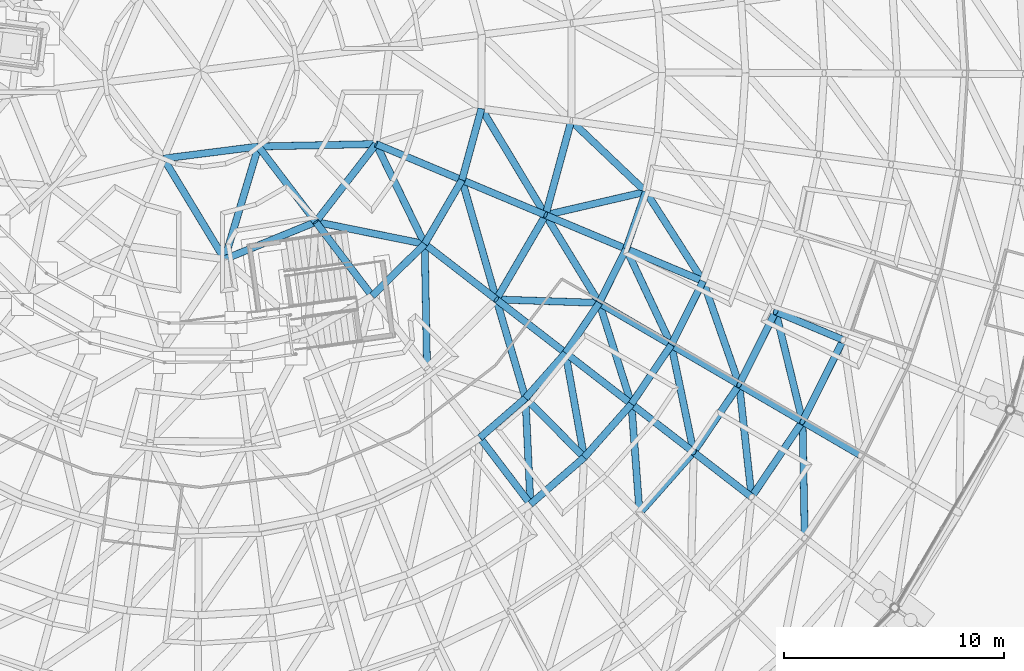
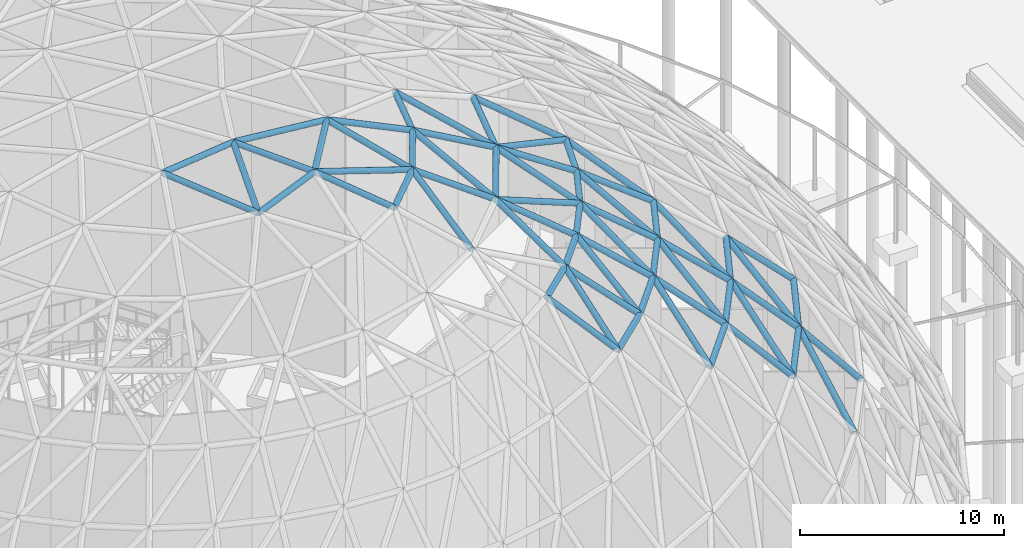
# One storey, part 103 of 226: 64 members.
"""IFC4 building model written with IfcOpenShell, lengths in metres."""

from ifc_helpers import new_model, si_unit, direction, frame, origin, origin_2d, place, context, subcontext, project, spatial, hollow_circle, extrude, material, material_profile, profile_set, type_object, element, save


model = new_model("IFC4")

# Units and contexts
model_context = context("Model", 3, precision=1e-05, world=origin(), true_north=direction((0.0, 1.0)))
body_context = subcontext(model_context, "Body", "Model", "MODEL_VIEW")
ifc_project = project(units=[si_unit("LENGTHUNIT", "METRE"), si_unit("AREAUNIT", "SQUARE_METRE"), si_unit("VOLUMEUNIT", "CUBIC_METRE"), si_unit("PLANEANGLEUNIT", "RADIAN"), si_unit("MASSUNIT", "GRAM", prefix="KILO")], contexts=[model_context])

# Site, building, storey
site_placement = place(None, origin())
site = spatial("IfcSite", under=ifc_project, at=site_placement, CompositionType="ELEMENT")
building_placement = place(site_placement, origin())
building = spatial("IfcBuilding", under=site, at=building_placement, Name="Ceibo Conservatory and Research Tower", CompositionType="ELEMENT")
storey_placement = place(building_placement, origin())
storey = spatial("IfcBuildingStorey", under=building, at=storey_placement, Name="L00", CompositionType="ELEMENT", Elevation=0.0)

# Members
ifc_material = material(Name="Steel ASTM A500 Gr C", Category="steel")
ifc_material_profile_1 = material_profile(ifc_material, hollow_circle(Radius=0.161865234375, WallThickness=0.01025390625, at=origin_2d()), Name="CHS 323.9x10.31")
ifc_profile_set_1 = profile_set([ifc_material_profile_1], Name="Steel ASTM A500 Gr C")
member_type_1 = type_object("IfcMemberType", Name="CHS 323.9x10.31", PredefinedType="NOTDEFINED", material=ifc_profile_set_1)
member_1_placement = place(storey_placement, frame((181.09912109375, 88.56591796875, 14.591064453125), z_axis=(0.55908810092, 0.829108253131, 0.0), x_axis=(-0.829108253131, 0.55908810092, 0.0)))
element("IfcMember", 1, at=member_1_placement, inside=storey, type_object=member_type_1, Name="Gridshell member A-C04-43", PredefinedType="CHORD", context=body_context, shape_type="SweptSolid", body=[
    extrude(hollow_circle(Radius=0.161865234375, WallThickness=0.01025390625, at=origin_2d()), origin(), (0.0, 0.0, 1.0), 4.15283203125),
])
member_2_placement = place(storey_placement, frame((183.4208984375, 92.009033203125, 14.591064453125), z_axis=(0.446060734083, 0.895002693577, 0.0), x_axis=(-0.895002693577, 0.446060734083, 0.0)))
element("IfcMember", 2, at=member_2_placement, inside=storey, type_object=member_type_1, Name="Gridshell member A-C04-44", PredefinedType="CHORD", context=body_context, shape_type="SweptSolid", body=[
    extrude(hollow_circle(Radius=0.161865234375, WallThickness=0.01025390625, at=origin_2d()), origin(), (0.0, 0.0, 1.0), 4.152099609375),
])
member_3_placement = place(storey_placement, frame((178.4599609375, 90.610107421875, 17.39501953125), z_axis=(-0.650167743921, 0.503308696319, 0.569176827509), x_axis=(-0.612137469712, -0.790751363056, 0.0)))
element("IfcMember", 3, at=member_3_placement, inside=storey, type_object=member_type_1, Name="Gridshell member A-M43-05", PredefinedType="RAFTER", context=body_context, shape_type="SweptSolid", body=[
    extrude(hollow_circle(Radius=0.161865234375, WallThickness=0.01025390625, at=origin_2d()), origin(), (0.0, 0.0, 1.0), 4.35888671875),
])
member_4_placement = place(storey_placement, frame((180.537109375, 93.68994140625, 17.39501953125), z_axis=(-0.710200096409, 0.414199362111, 0.569258035945), x_axis=(-0.503794768153, -0.863823379854, 0.0)))
element("IfcMember", 4, at=member_4_placement, inside=storey, type_object=member_type_1, Name="Gridshell member A-M44-05", PredefinedType="RAFTER", context=body_context, shape_type="SweptSolid", body=[
    extrude(hollow_circle(Radius=0.161865234375, WallThickness=0.01025390625, at=origin_2d()), origin(), (0.0, 0.0, 1.0), 4.358154296875),
])
member_5_placement = place(storey_placement, frame((171.02490234375, 88.241943359375, 19.8759765625), z_axis=(-0.527754755397, 0.693686137001, 0.4901779896), x_axis=(-0.795856289155, -0.605485563009, 0.0)))
element("IfcMember", 5, at=member_5_placement, inside=storey, type_object=member_type_1, Name="Gridshell member A-M41-06", PredefinedType="RAFTER", context=body_context, shape_type="SweptSolid", body=[
    extrude(hollow_circle(Radius=0.161865234375, WallThickness=0.01025390625, at=origin_2d()), origin(), (0.0, 0.0, 1.0), 4.359619140625),
])
member_6_placement = place(storey_placement, frame((173.47509765625, 90.3720703125, 19.8759765625), z_axis=(-0.613670996992, 0.618935674707, 0.490231106751), x_axis=(-0.71012048006, -0.704080182791, 0.0)))
element("IfcMember", 6, at=member_6_placement, inside=storey, type_object=member_type_1, Name="Gridshell member A-M42-06", PredefinedType="RAFTER", context=body_context, shape_type="SweptSolid", body=[
    extrude(hollow_circle(Radius=0.161865234375, WallThickness=0.01025390625, at=origin_2d()), origin(), (0.0, 0.0, 1.0), 4.359130859375),
])
member_7_placement = place(storey_placement, frame((175.6259765625, 92.803955078125, 19.8759765625), z_axis=(-0.689143302775, 0.533604376262, 0.490252871358), x_axis=(-0.61222633234, -0.790682564617, 0.0)))
element("IfcMember", 7, at=member_7_placement, inside=storey, type_object=member_type_1, Name="Gridshell member A-M43-06", PredefinedType="RAFTER", context=body_context, shape_type="SweptSolid", body=[
    extrude(hollow_circle(Radius=0.161865234375, WallThickness=0.01025390625, at=origin_2d()), origin(), (0.0, 0.0, 1.0), 4.35888671875),
])
member_8_placement = place(storey_placement, frame((177.44189453125, 95.4951171875, 19.8759765625), z_axis=(-0.752850077834, 0.439232549316, 0.4901953977), x_axis=(-0.503930948755, -0.863743942894, 0.0)))
element("IfcMember", 8, at=member_8_placement, inside=storey, type_object=member_type_1, Name="Gridshell member A-M44-06", PredefinedType="RAFTER", context=body_context, shape_type="SweptSolid", body=[
    extrude(hollow_circle(Radius=0.161865234375, WallThickness=0.01025390625, at=origin_2d()), origin(), (0.0, 0.0, 1.0), 4.359375),
])
member_9_placement = place(storey_placement, frame((178.89111328125, 98.40087890625, 19.8759765625), z_axis=(-0.803754702844, 0.337226420994, 0.490159890893), x_axis=(-0.38689058322, -0.922125629519, 0.0)))
element("IfcMember", 9, at=member_9_placement, inside=storey, type_object=member_type_1, Name="Gridshell member A-M45-06", PredefinedType="RAFTER", context=body_context, shape_type="SweptSolid", body=[
    extrude(hollow_circle(Radius=0.161865234375, WallThickness=0.01025390625, at=origin_2d()), origin(), (0.0, 0.0, 1.0), 4.359619140625),
])
member_10_placement = place(storey_placement, frame((172.6220703125, 95.1298828125, 22.012939453125), z_axis=(-0.722193728068, 0.559092430089, 0.407249154396), x_axis=(-0.612155876337, -0.790737113753, 0.0)))
element("IfcMember", 10, at=member_10_placement, inside=storey, type_object=member_type_1, Name="Gridshell member A-M43-07", PredefinedType="RAFTER", context=body_context, shape_type="SweptSolid", body=[
    extrude(hollow_circle(Radius=0.161865234375, WallThickness=0.01025390625, at=origin_2d()), origin(), (0.0, 0.0, 1.0), 4.35888671875),
])
member_11_placement = place(storey_placement, frame((175.386962890625, 99.87109375, 22.012939453125), z_axis=(-0.842346596609, 0.353012672768, 0.407227533507), x_axis=(-0.386513015434, -0.922283952425, 0.0)))
element("IfcMember", 11, at=member_11_placement, inside=storey, type_object=member_type_1, Name="Gridshell member A-M45-07", PredefinedType="RAFTER", context=body_context, shape_type="SweptSolid", body=[
    extrude(hollow_circle(Radius=0.161865234375, WallThickness=0.01025390625, at=origin_2d()), origin(), (0.0, 0.0, 1.0), 4.359130859375),
])
ifc_material_profile_2 = material_profile(ifc_material, hollow_circle(Radius=0.161865234375, WallThickness=0.01416015625, at=origin_2d()), Name="CHS 323.9x14.27")
ifc_profile_set_2 = profile_set([ifc_material_profile_2], Name="Steel ASTM A500 Gr C")
member_type_2 = type_object("IfcMemberType", Name="CHS 323.9x14.27", PredefinedType="NOTDEFINED", material=ifc_profile_set_2)
member_12_placement = place(storey_placement, frame((186.06591796875, 90.466064453125, 11.489013671875), z_axis=(-0.606815485489, 0.353985034917, 0.711666748996), x_axis=(-0.503880939853, -0.863773117464, 0.0)))
element("IfcMember", 12, at=member_12_placement, inside=storey, type_object=member_type_2, Name="Gridshell member A-M44-03", PredefinedType="RAFTER", context=body_context, shape_type="SweptSolid", body=[
    extrude(hollow_circle(Radius=0.161865234375, WallThickness=0.01416015625, at=origin_2d()), origin(), (0.0, 0.0, 1.0), 4.35888671875),
])
member_13_placement = place(storey_placement, frame((181.09912109375, 88.56591796875, 14.591064453125), z_axis=(-0.605368635117, 0.468894688422, 0.643169174313), x_axis=(-0.612354609273, -0.790583223008, 0.0)))
element("IfcMember", 13, at=member_13_placement, inside=storey, type_object=member_type_2, Name="Gridshell member A-M43-04", PredefinedType="RAFTER", context=body_context, shape_type="SweptSolid", body=[
    extrude(hollow_circle(Radius=0.161865234375, WallThickness=0.01416015625, at=origin_2d()), origin(), (0.0, 0.0, 1.0), 4.359619140625),
])
member_14_placement = place(storey_placement, frame((183.4208984375, 92.009033203125, 14.591064453125), z_axis=(-0.661519463745, 0.385587665754, 0.643206149772), x_axis=(-0.503579946391, -0.863948631339, 0.0)))
element("IfcMember", 14, at=member_14_placement, inside=storey, type_object=member_type_2, Name="Gridshell member A-M44-04", PredefinedType="RAFTER", context=body_context, shape_type="SweptSolid", body=[
    extrude(hollow_circle(Radius=0.161865234375, WallThickness=0.01416015625, at=origin_2d()), origin(), (0.0, 0.0, 1.0), 4.359375),
])
member_15_placement = place(storey_placement, frame((185.27294921875, 95.72509765625, 14.591064453125), z_axis=(-0.706131287977, 0.295906369032, 0.643286891601), x_axis=(-0.386489841125, -0.922293664029, 0.0)))
element("IfcMember", 15, at=member_15_placement, inside=storey, type_object=member_type_2, Name="Gridshell member A-M45-04", PredefinedType="RAFTER", context=body_context, shape_type="SweptSolid", body=[
    extrude(hollow_circle(Radius=0.161865234375, WallThickness=0.01416015625, at=origin_2d()), origin(), (0.0, 0.0, 1.0), 4.35888671875),
])
ifc_material_profile_3 = material_profile(ifc_material, hollow_circle(Radius=0.161865234375, WallThickness=0.00634765625, at=origin_2d()), Name="CHS 323.9x6.35")
ifc_profile_set_3 = profile_set([ifc_material_profile_3], Name="Steel ASTM A500 Gr C")
member_type_3 = type_object("IfcMemberType", Name="CHS 323.9x6.35", PredefinedType="NOTDEFINED", material=ifc_profile_set_3)
member_16_placement = place(storey_placement, frame((169.47412109375, 97.56689453125, 23.7880859375), z_axis=(0.503737944126, 0.863856517975, 0.0), x_axis=(-0.863856517975, 0.503737944126, 0.0)))
element("IfcMember", 16, at=member_16_placement, inside=storey, type_object=member_type_3, Name="Gridshell member A-C08-22", PredefinedType="CHORD", context=body_context, shape_type="SweptSolid", body=[
    extrude(hollow_circle(Radius=0.161865234375, WallThickness=0.00634765625, at=origin_2d()), origin(), (0.0, 0.0, 1.0), 4.44873046875),
])
member_17_placement = place(storey_placement, frame((171.715087890625, 101.409912109375, 23.7880859375), z_axis=(0.262987378822, 0.964799273725, 0.0), x_axis=(-0.964799273725, 0.262987378822, 0.0)))
element("IfcMember", 17, at=member_17_placement, inside=storey, type_object=member_type_3, Name="Gridshell member A-C08-23", PredefinedType="CHORD", context=body_context, shape_type="SweptSolid", body=[
    extrude(hollow_circle(Radius=0.161865234375, WallThickness=0.00634765625, at=origin_2d()), origin(), (0.0, 0.0, 1.0), 4.448486328125),
])
member_18_placement = place(storey_placement, frame((163.81591796875, 97.721923828125, 25.18408203125), z_axis=(0.710070640991, 0.704130445871, 0.0), x_axis=(-0.704130445871, 0.710070640991, 0.0)))
element("IfcMember", 18, at=member_18_placement, inside=storey, type_object=member_type_3, Name="Gridshell member A-C09-21", PredefinedType="CHORD", context=body_context, shape_type="SweptSolid", body=[
    extrude(hollow_circle(Radius=0.161865234375, WallThickness=0.00634765625, at=origin_2d()), origin(), (0.0, 0.0, 1.0), 3.3701171875),
])
member_19_placement = place(storey_placement, frame((166.208984375, 100.094970703125, 25.18408203125), z_axis=(0.503708906976, 0.863873449663, 0.0), x_axis=(-0.863873449663, 0.503708906976, 0.0)))
element("IfcMember", 19, at=member_19_placement, inside=storey, type_object=member_type_3, Name="Gridshell member A-C09-22", PredefinedType="CHORD", context=body_context, shape_type="SweptSolid", body=[
    extrude(hollow_circle(Radius=0.161865234375, WallThickness=0.00634765625, at=origin_2d()), origin(), (0.0, 0.0, 1.0), 3.37109375),
])
member_20_placement = place(storey_placement, frame((167.906982421875, 103.007080078125, 25.18408203125), z_axis=(0.263135791654, 0.964758806724, 0.0), x_axis=(-0.964758806724, 0.263135791654, 0.0)))
element("IfcMember", 20, at=member_20_placement, inside=storey, type_object=member_type_3, Name="Gridshell member A-C09-23", PredefinedType="CHORD", context=body_context, shape_type="SweptSolid", body=[
    extrude(hollow_circle(Radius=0.161865234375, WallThickness=0.00634765625, at=origin_2d()), origin(), (0.0, 0.0, 1.0), 3.370849609375),
])
member_21_placement = place(storey_placement, frame((157.093994140625, 99.39794921875, 26.18994140625), z_axis=(0.925533961637, 0.378664608666, 0.0), x_axis=(-0.378664608666, 0.925533961637, 0.0)))
element("IfcMember", 21, at=member_21_placement, inside=storey, type_object=member_type_3, Name="Gridshell member A-C10-10", PredefinedType="CHORD", context=body_context, shape_type="SweptSolid", body=[
    extrude(hollow_circle(Radius=0.161865234375, WallThickness=0.00634765625, at=origin_2d()), origin(), (0.0, 0.0, 1.0), 4.4892578125),
])
member_22_placement = place(storey_placement, frame((161.2490234375, 101.097900390625, 26.18994140625), z_axis=(0.612089804797, 0.790788259184, 0.0), x_axis=(-0.790788259184, 0.612089804797, 0.0)))
element("IfcMember", 22, at=member_22_placement, inside=storey, type_object=member_type_3, Name="Gridshell member A-C10-11", PredefinedType="CHORD", context=body_context, shape_type="SweptSolid", body=[
    extrude(hollow_circle(Radius=0.161865234375, WallThickness=0.00634765625, at=origin_2d()), origin(), (0.0, 0.0, 1.0), 4.488037109375),
])
member_23_placement = place(storey_placement, frame((154.31591796875, 103.985107421875, 26.797119140625), z_axis=(0.99202304735, 0.126056628254, 0.0), x_axis=(-0.126056628254, 0.99202304735, 0.0)))
element("IfcMember", 23, at=member_23_placement, inside=storey, type_object=member_type_3, Name="Gridshell member A-C11-05", PredefinedType="CHORD", context=body_context, shape_type="SweptSolid", body=[
    extrude(hollow_circle(Radius=0.161865234375, WallThickness=0.00634765625, at=origin_2d()), origin(), (0.0, 0.0, 1.0), 4.353759765625),
])
member_24_placement = place(storey_placement, frame((175.998046875, 87.826904296875, 17.39501953125), z_axis=(-0.06675626134, 0.892974503729, 0.445129348911), x_axis=(-0.99721733959, -0.074549162442, 0.0)))
element("IfcMember", 24, at=member_24_placement, inside=storey, type_object=member_type_3, Name="Gridshell diagonal member A-D05-42", PredefinedType="BRACE", context=body_context, shape_type="SweptSolid", body=[
    extrude(hollow_circle(Radius=0.161865234375, WallThickness=0.00634765625, at=origin_2d()), origin(), (0.0, 0.0, 1.0), 5.573486328125),
])
member_25_placement = place(storey_placement, frame((178.4599609375, 90.610107421875, 17.39501953125), z_axis=(-0.18268834766, 0.87659739768, 0.445198798302), x_axis=(-0.978966170925, -0.204022636451, 0.0)))
element("IfcMember", 25, at=member_25_placement, inside=storey, type_object=member_type_3, Name="Gridshell diagonal member A-D05-43", PredefinedType="BRACE", context=body_context, shape_type="SweptSolid", body=[
    extrude(hollow_circle(Radius=0.161865234375, WallThickness=0.00634765625, at=origin_2d()), origin(), (0.0, 0.0, 1.0), 5.57275390625),
])
member_26_placement = place(storey_placement, frame((180.537109375, 93.68994140625, 17.39501953125), z_axis=(-0.295356389784, 0.845327335699, 0.445181197418), x_axis=(-0.944035175032, -0.329844794261, 0.0)))
element("IfcMember", 26, at=member_26_placement, inside=storey, type_object=member_type_3, Name="Gridshell diagonal member A-D05-44", PredefinedType="BRACE", context=body_context, shape_type="SweptSolid", body=[
    extrude(hollow_circle(Radius=0.161865234375, WallThickness=0.00634765625, at=origin_2d()), origin(), (0.0, 0.0, 1.0), 5.572998046875),
])
member_27_placement = place(storey_placement, frame((171.02490234375, 88.241943359375, 19.8759765625), z_axis=(-0.042548090208, 0.913605897877, 0.404368548954), x_axis=(-0.998917303835, -0.046521179047, 0.0)))
element("IfcMember", 27, at=member_27_placement, inside=storey, type_object=member_type_3, Name="Gridshell diagonal member A-D06-41", PredefinedType="BRACE", context=body_context, shape_type="SweptSolid", body=[
    extrude(hollow_circle(Radius=0.161865234375, WallThickness=0.00634765625, at=origin_2d()), origin(), (0.0, 0.0, 1.0), 5.28466796875),
])
for number, where, z_axis, x_axis, name in (
    (28, (173.47509765625, 90.3720703125, 19.8759765625), (-0.16140588074, 0.900251231785, 0.404346214687), (-0.984304968411, -0.176475859997, 0.0), "Gridshell diagonal member A-D06-42"),
    (29, (175.6259765625, 92.803955078125, 19.8759765625), (-0.277403164392, 0.871521748446, 0.404348026298), (-0.952893934485, -0.303303725039, 0.0), "Gridshell diagonal member A-D06-43"),
):
    element("IfcMember", number, at=place(storey_placement, frame(where, z_axis=z_axis, x_axis=x_axis)), inside=storey, type_object=member_type_3, Name=name, PredefinedType="BRACE", context=body_context, shape_type="SweptSolid", body=[
        extrude(hollow_circle(Radius=0.161865234375, WallThickness=0.00634765625, at=origin_2d()), origin(), (0.0, 0.0, 1.0), 5.284912109375),
    ])
member_28_placement = place(storey_placement, frame((177.44189453125, 95.4951171875, 19.8759765625), z_axis=(-0.388772591658, 0.827891164652, 0.404292086822), x_axis=(-0.905165179549, -0.425059993097, 0.0)))
element("IfcMember", 30, at=member_28_placement, inside=storey, type_object=member_type_3, Name="Gridshell diagonal member A-D06-44", PredefinedType="BRACE", context=body_context, shape_type="SweptSolid", body=[
    extrude(hollow_circle(Radius=0.161865234375, WallThickness=0.00634765625, at=origin_2d()), origin(), (0.0, 0.0, 1.0), 5.28564453125),
])
member_29_placement = place(storey_placement, frame((178.89111328125, 98.40087890625, 19.8759765625), z_axis=(-0.493611797358, 0.770001148475, 0.404284089293), x_axis=(-0.841868549546, -0.539682633855, 0.0)))
element("IfcMember", 31, at=member_29_placement, inside=storey, type_object=member_type_3, Name="Gridshell diagonal member A-D06-45", PredefinedType="BRACE", context=body_context, shape_type="SweptSolid", body=[
    extrude(hollow_circle(Radius=0.161865234375, WallThickness=0.00634765625, at=origin_2d()), origin(), (0.0, 0.0, 1.0), 5.285888671875),
])
member_30_placement = place(storey_placement, frame((170.800048828125, 93.070068359375, 22.012939453125), z_axis=(-0.264495189552, 0.897023917575, 0.354105049389), x_axis=(-0.959172898916, -0.282820349314, 0.0)))
element("IfcMember", 32, at=member_30_placement, inside=storey, type_object=member_type_3, Name="Gridshell diagonal member A-D07-43", PredefinedType="BRACE", context=body_context, shape_type="SweptSolid", body=[
    extrude(hollow_circle(Radius=0.161865234375, WallThickness=0.00634765625, at=origin_2d()), origin(), (0.0, 0.0, 1.0), 5.012939453125),
])
member_31_placement = place(storey_placement, frame((174.159912109375, 97.409912109375, 22.012939453125), z_axis=(-0.934685938993, 0.031313659083, 0.354092714136), x_axis=(-0.033483012628, -0.999439286733, 0.0)))
element("IfcMember", 33, at=member_31_placement, inside=storey, type_object=member_type_3, Name="Gridshell diagonal member A-D07-44", PredefinedType="BRACE", context=body_context, shape_type="SweptSolid", body=[
    extrude(hollow_circle(Radius=0.161865234375, WallThickness=0.00634765625, at=origin_2d()), origin(), (0.0, 0.0, 1.0), 5.01318359375),
])
member_32_placement = place(storey_placement, frame((174.159912109375, 97.409912109375, 22.012939453125), z_axis=(-0.487714866765, 0.797954900847, 0.354121709232), x_axis=(-0.853245786623, -0.52150899092, 0.0)))
element("IfcMember", 34, at=member_32_placement, inside=storey, type_object=member_type_3, Name="Gridshell diagonal member A-D07-45", PredefinedType="BRACE", context=body_context, shape_type="SweptSolid", body=[
    extrude(hollow_circle(Radius=0.161865234375, WallThickness=0.00634765625, at=origin_2d()), origin(), (0.0, 0.0, 1.0), 5.0126953125),
])
member_33_placement = place(storey_placement, frame((176.281982421875, 102.470947265625, 22.012939453125), z_axis=(-0.910950519048, -0.211642839505, 0.354085385652), x_axis=(0.226304400395, -0.974056629956, 0.0)))
element("IfcMember", 35, at=member_33_placement, inside=storey, type_object=member_type_3, Name="Gridshell diagonal member A-D07-46", PredefinedType="BRACE", context=body_context, shape_type="SweptSolid", body=[
    extrude(hollow_circle(Radius=0.161865234375, WallThickness=0.00634765625, at=origin_2d()), origin(), (0.0, 0.0, 1.0), 5.013427734375),
])
member_34_placement = place(storey_placement, frame((176.281982421875, 102.470947265625, 22.012939453125), z_axis=(-0.677639662113, 0.644522300446, 0.354112259826), x_axis=(-0.689179090978, -0.724591043665, 0.0)))
element("IfcMember", 36, at=member_34_placement, inside=storey, type_object=member_type_3, Name="Gridshell diagonal member A-D07-47", PredefinedType="BRACE", context=body_context, shape_type="SweptSolid", body=[
    extrude(hollow_circle(Radius=0.161865234375, WallThickness=0.00634765625, at=origin_2d()), origin(), (0.0, 0.0, 1.0), 5.012939453125),
])
member_35_placement = place(storey_placement, frame((166.31494140625, 94.43505859375, 23.7880859375), z_axis=(-0.018172914238, 0.970743481033, 0.239430238733), x_axis=(-0.999824815346, -0.018717334679, 0.0)))
element("IfcMember", 37, at=member_35_placement, inside=storey, type_object=member_type_3, Name="Gridshell diagonal member A-D08-21", PredefinedType="BRACE", context=body_context, shape_type="SweptSolid", body=[
    extrude(hollow_circle(Radius=0.161865234375, WallThickness=0.00634765625, at=origin_2d()), origin(), (0.0, 0.0, 1.0), 5.83056640625),
])
member_36_placement = place(storey_placement, frame((169.47412109375, 97.56689453125, 23.7880859375), z_axis=(-0.268760691525, 0.932979356483, 0.239410131507), x_axis=(-0.96092445362, -0.276810755634, 0.0)))
element("IfcMember", 38, at=member_36_placement, inside=storey, type_object=member_type_3, Name="Gridshell diagonal member A-D08-22", PredefinedType="BRACE", context=body_context, shape_type="SweptSolid", body=[
    extrude(hollow_circle(Radius=0.161865234375, WallThickness=0.00634765625, at=origin_2d()), origin(), (0.0, 0.0, 1.0), 5.8310546875),
])
member_37_placement = place(storey_placement, frame((171.715087890625, 101.409912109375, 23.7880859375), z_axis=(-0.501002363266, 0.831668110253, 0.239425951789), x_axis=(-0.856582120428, -0.516010727566, 0.0)))
element("IfcMember", 39, at=member_37_placement, inside=storey, type_object=member_type_3, Name="Gridshell diagonal member A-D08-23", PredefinedType="BRACE", context=body_context, shape_type="SweptSolid", body=[
    extrude(hollow_circle(Radius=0.161865234375, WallThickness=0.00634765625, at=origin_2d()), origin(), (0.0, 0.0, 1.0), 5.83056640625),
])
member_38_placement = place(storey_placement, frame((166.208984375, 100.094970703125, 25.18408203125), z_axis=(-0.961354903853, 0.194390920704, 0.194958761758), x_axis=(-0.198193977699, -0.980162816681, 0.0)))
element("IfcMember", 40, at=member_38_placement, inside=storey, type_object=member_type_3, Name="Gridshell diagonal member A-D09-22", PredefinedType="BRACE", context=body_context, shape_type="SweptSolid", body=[
    extrude(hollow_circle(Radius=0.161865234375, WallThickness=0.00634765625, at=origin_2d()), origin(), (0.0, 0.0, 1.0), 5.159423828125),
])
member_39_placement = place(storey_placement, frame((166.208984375, 100.094970703125, 25.18408203125), z_axis=(-0.428824496357, 0.882108642385, 0.194920225617), x_axis=(-0.899359161104, -0.437210589233, 0.0)))
element("IfcMember", 41, at=member_39_placement, inside=storey, type_object=member_type_3, Name="Gridshell diagonal member A-D09-23", PredefinedType="BRACE", context=body_context, shape_type="SweptSolid", body=[
    extrude(hollow_circle(Radius=0.161865234375, WallThickness=0.00634765625, at=origin_2d()), origin(), (0.0, 0.0, 1.0), 5.160400390625),
])
member_40_placement = place(storey_placement, frame((157.093994140625, 99.39794921875, 26.18994140625), z_axis=(-0.514737597537, 0.849934503922, 0.112501309876), x_axis=(-0.855364721509, -0.518026247595, 0.0)))
element("IfcMember", 42, at=member_40_placement, inside=storey, type_object=member_type_3, Name="Gridshell diagonal member A-D10-10", PredefinedType="BRACE", context=body_context, shape_type="SweptSolid", body=[
    extrude(hollow_circle(Radius=0.161865234375, WallThickness=0.00634765625, at=origin_2d()), origin(), (0.0, 0.0, 1.0), 5.39697265625),
])
for number, where, z_axis, x_axis, name in (
    (43, (157.093994140625, 99.39794921875, 26.18994140625), (0.285560616682, 0.951732999548, 0.112514140318), (-0.957815006405, 0.287385478939, 0.0), "Gridshell diagonal member A-D10-11"),
    (44, (163.99609375, 104.64697265625, 26.18994140625), (-0.993429525335, -0.020946212042, 0.112512374403), (0.021080063624, -0.99977779077, 0.0), "Gridshell diagonal member A-D10-12"),
):
    element("IfcMember", number, at=place(storey_placement, frame(where, z_axis=z_axis, x_axis=x_axis)), inside=storey, type_object=member_type_3, Name=name, PredefinedType="BRACE", context=body_context, shape_type="SweptSolid", body=[
        extrude(hollow_circle(Radius=0.161865234375, WallThickness=0.00634765625, at=origin_2d()), origin(), (0.0, 0.0, 1.0), 5.396484375),
    ])
ifc_material_profile_4 = material_profile(ifc_material, hollow_circle(Radius=0.161865234375, WallThickness=0.00830078125, at=origin_2d()), Name="CHS 323.9x8.38")
ifc_profile_set_4 = profile_set([ifc_material_profile_4], Name="Steel ASTM A500 Gr C")
member_type_4 = type_object("IfcMemberType", Name="CHS 323.9x8.38", PredefinedType="NOTDEFINED", material=ifc_profile_set_4)
member_41_placement = place(storey_placement, frame((175.998046875, 87.826904296875, 17.39501953125), z_axis=(0.662551199296, 0.749016627526, 0.0), x_axis=(-0.749016627526, 0.662551199296, 0.0)))
element("IfcMember", 45, at=member_41_placement, inside=storey, type_object=member_type_4, Name="Gridshell member A-C05-42", PredefinedType="CHORD", context=body_context, shape_type="SweptSolid", body=[
    extrude(hollow_circle(Radius=0.161865234375, WallThickness=0.00830078125, at=origin_2d()), origin(), (0.0, 0.0, 1.0), 3.7158203125),
])
member_42_placement = place(storey_placement, frame((178.4599609375, 90.610107421875, 17.39501953125), z_axis=(0.559151123217, 0.82906575216, 0.0), x_axis=(-0.82906575216, 0.559151123217, 0.0)))
element("IfcMember", 46, at=member_42_placement, inside=storey, type_object=member_type_4, Name="Gridshell member A-C05-43", PredefinedType="CHORD", context=body_context, shape_type="SweptSolid", body=[
    extrude(hollow_circle(Radius=0.161865234375, WallThickness=0.00830078125, at=origin_2d()), origin(), (0.0, 0.0, 1.0), 3.71484375),
])
member_43_placement = place(storey_placement, frame((180.537109375, 93.68994140625, 17.39501953125), z_axis=(0.446240813982, 0.894912920868, 0.0), x_axis=(-0.894912920868, 0.446240813982, 0.0)))
element("IfcMember", 47, at=member_43_placement, inside=storey, type_object=member_type_4, Name="Gridshell member A-C05-44", PredefinedType="CHORD", context=body_context, shape_type="SweptSolid", body=[
    extrude(hollow_circle(Radius=0.161865234375, WallThickness=0.00830078125, at=origin_2d()), origin(), (0.0, 0.0, 1.0), 3.71533203125),
])
for number, where, z_axis, x_axis, name in (
    (48, (171.02490234375, 88.241943359375, 19.8759765625), (0.754678367259, 0.656094933673, 0.0), (-0.656094933673, 0.754678367259, 0.0), "Gridshell member A-C06-41"),
    (49, (173.47509765625, 90.3720703125, 19.8759765625), (0.662504109537, 0.749058278672, 0.0), (-0.749058278672, 0.662504109537, 0.0), "Gridshell member A-C06-42"),
    (50, (175.6259765625, 92.803955078125, 19.8759765625), (0.559342401268, 0.828936715404, 0.0), (-0.828936715404, 0.559342401268, 0.0), "Gridshell member A-C06-43"),
):
    element("IfcMember", number, at=place(storey_placement, frame(where, z_axis=z_axis, x_axis=x_axis)), inside=storey, type_object=member_type_4, Name=name, PredefinedType="CHORD", context=body_context, shape_type="SweptSolid", body=[
        extrude(hollow_circle(Radius=0.161865234375, WallThickness=0.00830078125, at=origin_2d()), origin(), (0.0, 0.0, 1.0), 3.24658203125),
    ])
member_44_placement = place(storey_placement, frame((177.44189453125, 95.4951171875, 19.8759765625), z_axis=(0.446311121763, 0.894877859035, 0.0), x_axis=(-0.894877859035, 0.446311121763, 0.0)))
element("IfcMember", 51, at=member_44_placement, inside=storey, type_object=member_type_4, Name="Gridshell member A-C06-44", PredefinedType="CHORD", context=body_context, shape_type="SweptSolid", body=[
    extrude(hollow_circle(Radius=0.161865234375, WallThickness=0.00830078125, at=origin_2d()), origin(), (0.0, 0.0, 1.0), 3.2470703125),
])
member_45_placement = place(storey_placement, frame((168.72412109375, 91.26611328125, 22.012939453125), z_axis=(0.754821437046, 0.655930330276, 0.0), x_axis=(-0.655930330276, 0.754821437046, 0.0)))
element("IfcMember", 52, at=member_45_placement, inside=storey, type_object=member_type_4, Name="Gridshell member A-C07-41", PredefinedType="CHORD", context=body_context, shape_type="SweptSolid", body=[
    extrude(hollow_circle(Radius=0.161865234375, WallThickness=0.00830078125, at=origin_2d()), origin(), (0.0, 0.0, 1.0), 2.750244140625),
])
member_46_placement = place(storey_placement, frame((170.800048828125, 93.070068359375, 22.012939453125), z_axis=(0.662548979838, 0.749018590767, 0.0), x_axis=(-0.749018590767, 0.662548979838, 0.0)))
element("IfcMember", 53, at=member_46_placement, inside=storey, type_object=member_type_4, Name="Gridshell member A-C07-42", PredefinedType="CHORD", context=body_context, shape_type="SweptSolid", body=[
    extrude(hollow_circle(Radius=0.161865234375, WallThickness=0.00830078125, at=origin_2d()), origin(), (0.0, 0.0, 1.0), 2.75),
])
member_47_placement = place(storey_placement, frame((172.6220703125, 95.1298828125, 22.012939453125), z_axis=(0.559178562802, 0.829047245278, 0.0), x_axis=(-0.829047245278, 0.559178562802, 0.0)))
element("IfcMember", 54, at=member_47_placement, inside=storey, type_object=member_type_4, Name="Gridshell member A-C07-43", PredefinedType="CHORD", context=body_context, shape_type="SweptSolid", body=[
    extrude(hollow_circle(Radius=0.161865234375, WallThickness=0.00830078125, at=origin_2d()), origin(), (0.0, 0.0, 1.0), 2.750244140625),
])
member_48_placement = place(storey_placement, frame((174.159912109375, 97.409912109375, 22.012939453125), z_axis=(0.446183508263, 0.894941493593, 0.0), x_axis=(-0.894941493593, 0.446183508263, 0.0)))
element("IfcMember", 55, at=member_48_placement, inside=storey, type_object=member_type_4, Name="Gridshell member A-C07-44", PredefinedType="CHORD", context=body_context, shape_type="SweptSolid", body=[
    extrude(hollow_circle(Radius=0.161865234375, WallThickness=0.00830078125, at=origin_2d()), origin(), (0.0, 0.0, 1.0), 2.75),
])
member_49_placement = place(storey_placement, frame((175.386962890625, 99.87109375, 22.012939453125), z_axis=(0.325509035306, 0.945538929888, 0.0), x_axis=(-0.945538929888, 0.325509035306, 0.0)))
element("IfcMember", 56, at=member_49_placement, inside=storey, type_object=member_type_4, Name="Gridshell member A-C07-45", PredefinedType="CHORD", context=body_context, shape_type="SweptSolid", body=[
    extrude(hollow_circle(Radius=0.161865234375, WallThickness=0.00830078125, at=origin_2d()), origin(), (0.0, 0.0, 1.0), 2.74951171875),
])
member_50_placement = place(storey_placement, frame((183.52001953125, 86.69189453125, 11.489013671875), z_axis=(-0.016099806464, 0.863639618189, 0.503852563878), x_axis=(-0.999826286718, -0.018638572589, 0.0)))
element("IfcMember", 57, at=member_50_placement, inside=storey, type_object=member_type_4, Name="Gridshell diagonal member A-D03-43", PredefinedType="BRACE", context=body_context, shape_type="SweptSolid", body=[
    extrude(hollow_circle(Radius=0.161865234375, WallThickness=0.00830078125, at=origin_2d()), origin(), (0.0, 0.0, 1.0), 6.15673828125),
])
member_51_placement = place(storey_placement, frame((181.09912109375, 88.56591796875, 14.591064453125), z_axis=(-0.095775388021, 0.873211921711, 0.47783680774), x_axis=(-0.994038692489, -0.109027876411, 0.0)))
element("IfcMember", 58, at=member_51_placement, inside=storey, type_object=member_type_4, Name="Gridshell diagonal member A-D04-43", PredefinedType="BRACE", context=body_context, shape_type="SweptSolid", body=[
    extrude(hollow_circle(Radius=0.161865234375, WallThickness=0.00830078125, at=origin_2d()), origin(), (0.0, 0.0, 1.0), 5.867919921875),
])
member_52_placement = place(storey_placement, frame((183.4208984375, 92.009033203125, 14.591064453125), z_axis=(-0.208931088353, 0.853201162237, 0.477907498453), x_axis=(-0.971301555352, -0.237851400186, 0.0)))
element("IfcMember", 59, at=member_52_placement, inside=storey, type_object=member_type_4, Name="Gridshell diagonal member A-D04-44", PredefinedType="BRACE", context=body_context, shape_type="SweptSolid", body=[
    extrude(hollow_circle(Radius=0.161865234375, WallThickness=0.00830078125, at=origin_2d()), origin(), (0.0, 0.0, 1.0), 5.8671875),
])
for number, where, z_axis, x_axis, name in (
    (60, (169.47412109375, 97.56689453125, 23.7880859375), (-0.749052211105, 0.579963783908, 0.320254265223), (-0.612207773168, -0.790696934655, 0.0), "Gridshell member A-M22-08"),
    (61, (171.715087890625, 101.409912109375, 23.7880859375), (-0.873606714921, 0.366401790551, 0.320251519164), (-0.386772089375, -0.9221753363, 0.0), "Gridshell member A-M23-08"),
):
    element("IfcMember", number, at=place(storey_placement, frame(where, z_axis=z_axis, x_axis=x_axis)), inside=storey, type_object=member_type_4, Name=name, PredefinedType="RAFTER", context=body_context, shape_type="SweptSolid", body=[
        extrude(hollow_circle(Radius=0.161865234375, WallThickness=0.00830078125, at=origin_2d()), origin(), (0.0, 0.0, 1.0), 4.359130859375),
    ])
member_53_placement = place(storey_placement, frame((163.81591796875, 97.721923828125, 25.18408203125), z_axis=(-0.588918254366, 0.774544571179, 0.230772608711), x_axis=(-0.796031278565, -0.605255486176, 0.0)))
element("IfcMember", 62, at=member_53_placement, inside=storey, type_object=member_type_4, Name="Gridshell member A-M21-09", PredefinedType="RAFTER", context=body_context, shape_type="SweptSolid", body=[
    extrude(hollow_circle(Radius=0.161865234375, WallThickness=0.00830078125, at=origin_2d()), origin(), (0.0, 0.0, 1.0), 4.358642578125),
])
member_54_placement = place(storey_placement, frame((167.906982421875, 103.007080078125, 25.18408203125), z_axis=(-0.897312650355, 0.376256262715, 0.230783951524), x_axis=(-0.386695089157, -0.922207627393, 0.0)))
element("IfcMember", 63, at=member_54_placement, inside=storey, type_object=member_type_4, Name="Gridshell member A-M23-09", PredefinedType="RAFTER", context=body_context, shape_type="SweptSolid", body=[
    extrude(hollow_circle(Radius=0.161865234375, WallThickness=0.00830078125, at=origin_2d()), origin(), (0.0, 0.0, 1.0), 4.3583984375),
])
member_55_placement = place(storey_placement, frame((161.2490234375, 101.097900390625, 26.18994140625), z_axis=(-0.599568550978, 0.78811317703, 0.139266553309), x_axis=(-0.795868975611, -0.605468887442, 0.0)))
element("IfcMember", 64, at=member_55_placement, inside=storey, type_object=member_type_4, Name="Gridshell member A-M11-10", PredefinedType="RAFTER", context=body_context, shape_type="SweptSolid", body=[
    extrude(hollow_circle(Radius=0.161865234375, WallThickness=0.00830078125, at=origin_2d()), origin(), (0.0, 0.0, 1.0), 4.35986328125),
])

save(model, "model.ifc")
